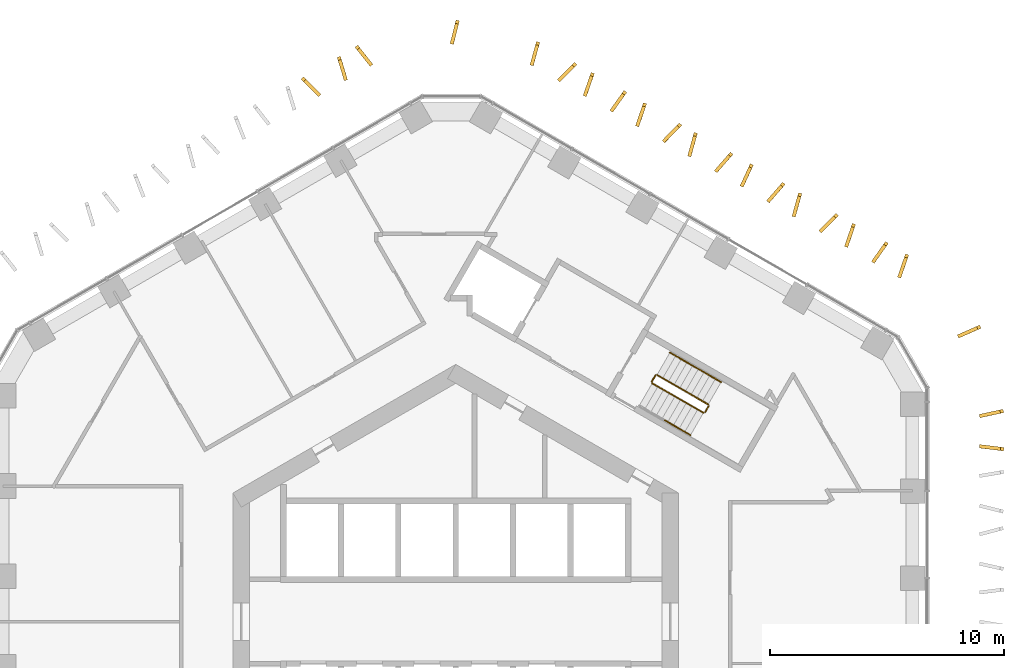
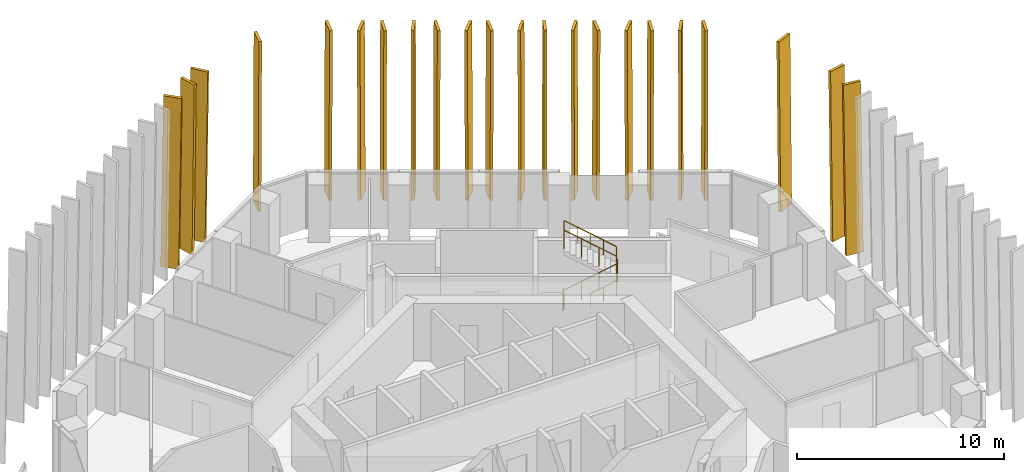
# One storey, part 19 of 19: 22 shading devices, 7 railings.
"""IFC4 building model written with IfcOpenShell, lengths in metres."""

from ifc_helpers import new_model, si_unit, direction, frame, origin, origin_2d, place, context, subcontext, project, spatial, polyline, circle, outline, extrude, material, layer, layer_set, type_object, element, save


model = new_model("IFC4")

# Units and contexts
model_context = context("Model", 3, precision=1e-05, world=origin(), true_north=direction((0.0, 1.0)))
body_context = subcontext(model_context, "Body", "Model", "MODEL_VIEW")
ifc_project = project(units=[si_unit("LENGTHUNIT", "METRE"), si_unit("AREAUNIT", "SQUARE_METRE"), si_unit("VOLUMEUNIT", "CUBIC_METRE"), si_unit("PLANEANGLEUNIT", "RADIAN"), si_unit("MASSUNIT", "GRAM", prefix="KILO")], contexts=[model_context])

# Site, building, storey
site_placement = place(None, origin())
site = spatial("IfcSite", under=ifc_project, at=site_placement, CompositionType="ELEMENT")
building_placement = place(site_placement, origin())
building = spatial("IfcBuilding", under=site, at=building_placement, Name="Ayvan Gate Tower", CompositionType="ELEMENT")
storey_placement = place(building_placement, frame((0.0, 0.0, 93.300048828125)))
storey = spatial("IfcBuildingStorey", under=building, at=storey_placement, Name="L24", CompositionType="ELEMENT", Elevation=93.300048828125)

# Shading devices
ifc_material_1 = material(Name="Bronze anodised aluminium", Category="aluminium")
ifc_layer = layer(ifc_material_1, 0.14990234375)
ifc_layer_set = layer_set([ifc_layer], Name="Bronze anodised aluminium")
shading_device_type = type_object("IfcShadingDeviceType", Name="Bronze fin 900 x 150", PredefinedType="USERDEFINED", material=ifc_layer_set)
shading_device_1_placement = place(storey_placement, frame((-3.62060546875, 23.88232421875, 0.0), z_axis=(0.784691755886, 0.619886140778, 0.000143931434), x_axis=(-0.619886147197, 0.784691764015, -1.2101e-08)))
element("IfcShadingDevice", 1, at=shading_device_1_placement, inside=storey, type_object=shading_device_type, Name="Bronze fin FG08.1.1", ObjectType="FIN", PredefinedType="USERDEFINED", context=body_context, shape_type="SweptSolid", body=[
    extrude(outline(polyline([(0.0, 0.0), (0.9000373827248702, 0.0), (0.7575013844012553, 10.079834097949659), (-0.14234442318591617, 10.079834076169481), (0.0, 0.0)])), origin(), (0.0, 0.0, -1.0), 0.14990234375),
])
shading_device_2_placement = place(storey_placement, frame((-4.655029296875, 23.24951171875, 0.0), z_axis=(0.957527128214, 0.28834315504, 0.00015386858), x_axis=(-0.288343158453, 0.957527139549, 0.0)))
element("IfcShadingDevice", 2, at=shading_device_2_placement, inside=storey, type_object=shading_device_type, Name="Bronze fin FG08.1.2", ObjectType="FIN", PredefinedType="USERDEFINED", context=body_context, shape_type="SweptSolid", body=[
    extrude(outline(polyline([(0.0, 0.0), (0.9000438427842659, 6.776263578034403e-21), (0.7577277319891105, 10.079834103697758), (-0.1423161107951555, 10.079834103697758), (0.0, 0.0)])), origin(), (0.0, 0.0, -1.0), 0.14990234375),
])
shading_device_3_placement = place(storey_placement, frame((-5.8515625, 22.599609375, 0.0), z_axis=(0.707242403031, 0.706971117107, 0.000151429152), x_axis=(-0.706971125213, 0.70724241114, 0.0)))
element("IfcShadingDevice", 3, at=shading_device_3_placement, inside=storey, type_object=shading_device_type, Name="Bronze fin FG08.1.3", ObjectType="FIN", PredefinedType="USERDEFINED", context=body_context, shape_type="SweptSolid", body=[
    extrude(outline(polyline([(0.0, 0.0), (0.8999384077507213, 0.0), (0.7575154818395233, 10.07983409994427), (-0.14242292591119793, 10.07983409994427), (0.0, 0.0)])), origin(), (0.0, 0.0, -1.0), 0.14990234375),
])
shading_device_4_placement = place(storey_placement, frame((22.4736328125, 7.3857421875, 0.0), z_axis=(-0.120428568693, -0.99272198517, 0.000141428492), x_axis=(0.992721995099, -0.120428569897, 0.0)))
element("IfcShadingDevice", 4, at=shading_device_4_placement, inside=storey, type_object=shading_device_type, Name="Bronze fin FG08.9.78", ObjectType="FIN", PredefinedType="USERDEFINED", context=body_context, shape_type="SweptSolid", body=[
    extrude(outline(polyline([(0.0, 0.0), (0.9001056609119088, 0.0), (0.7577848883339865, 10.079834085183514), (-0.14232077257792225, 10.079834085183514), (0.0, 0.0)])), origin(), (0.0, 0.0, -1.0), 0.14990234375),
])
shading_device_5_placement = place(storey_placement, frame((22.49609375, 8.720458984375, 0.0), z_axis=(0.213381312199, -0.976968983126, 0.000147017336), x_axis=(0.976968993683, 0.213381314508, 1.9483e-08)))
element("IfcShadingDevice", 5, at=shading_device_5_placement, inside=storey, type_object=shading_device_type, Name="Bronze fin FG08.9.79", ObjectType="FIN", PredefinedType="USERDEFINED", context=body_context, shape_type="SweptSolid", body=[
    extrude(outline(polyline([(0.0, 0.0), (0.8999014747978201, -3.3881317890172014e-21), (0.757508684903003, 10.079834078549425), (-0.14234069484732978, 10.079834113614664), (0.0, 0.0)])), origin(), (0.0, 0.0, -1.0), 0.14990234375),
])
shading_device_6_placement = place(storey_placement, frame((21.583251953125, 12.14794921875, 0.0), z_axis=(0.403947416171, -0.91478219431, 0.000148131624), x_axis=(0.914782204346, 0.403947420602, 0.0)))
element("IfcShadingDevice", 6, at=shading_device_6_placement, inside=storey, type_object=shading_device_type, Name="Bronze fin FG08.10.80", ObjectType="FIN", PredefinedType="USERDEFINED", context=body_context, shape_type="SweptSolid", body=[
    extrude(outline(polyline([(0.0, 0.0), (0.899932446858565, 0.0), (0.7575420249180949, 10.07983409496579), (-0.1423904219404702, 10.07983409496579), (0.0, 0.0)])), origin(), (0.0, 0.0, -1.0), 0.14990234375),
])
shading_device_7_placement = place(storey_placement, frame((19.031005859375, 14.781982421875, 0.0), z_axis=(0.945251828206, -0.326341784856, 0.000143981097), x_axis=(0.326341788238, 0.945251838004, 6.372e-09)))
element("IfcShadingDevice", 7, at=shading_device_7_placement, inside=storey, type_object=shading_device_type, Name="Bronze fin FG08.11.81", ObjectType="FIN", PredefinedType="USERDEFINED", context=body_context, shape_type="SweptSolid", body=[
    extrude(outline(polyline([(0.0, 0.0), (0.9000956608138847, -6.776263578034403e-21), (0.757553854587912, 10.079834084027887), (-0.1423110318514601, 10.079834095497864), (0.0, 0.0)])), origin(), (0.0, 0.0, -1.0), 0.14990234375),
])
shading_device_8_placement = place(storey_placement, frame((17.933349609375, 15.39404296875, 0.0), z_axis=(0.815699137507, -0.578476358741, 0.000139453991), x_axis=(0.578476364368, 0.815699145438, -1.5427e-08)))
element("IfcShadingDevice", 8, at=shading_device_8_placement, inside=storey, type_object=shading_device_type, Name="Bronze fin FG08.11.82", ObjectType="FIN", PredefinedType="USERDEFINED", context=body_context, shape_type="SweptSolid", body=[
    extrude(outline(polyline([(0.0, 0.0), (0.9000726112128209, -6.776263578034403e-21), (0.7574349828626471, 10.079834094073634), (-0.14249639876902928, 10.079834066304207), (0.0, 0.0)])), origin(), (0.0, 0.0, -1.0), 0.14990234375),
])
shading_device_9_placement = place(storey_placement, frame((16.767333984375, 16.0888671875, 0.0), z_axis=(0.946088520437, -0.323908155814, 0.000134513075), x_axis=(0.323908158744, 0.946088528997, 5.909e-09)))
element("IfcShadingDevice", 9, at=shading_device_9_placement, inside=storey, type_object=shading_device_type, Name="Bronze fin FG08.11.83", ObjectType="FIN", PredefinedType="USERDEFINED", context=body_context, shape_type="SweptSolid", body=[
    extrude(outline(polyline([(0.0, 0.0), (0.9000740065138428, 0.0), (0.7576944582283839, 10.079834071088829), (-0.14214856964068434, 10.079834081724643), (0.0, 0.0)])), origin(), (0.0, 0.0, -1.0), 0.14990234375),
])
shading_device_10_placement = place(storey_placement, frame((15.693359375, 16.66796875, 0.0), z_axis=(0.712376912549, -0.701797057412, 0.000157082161), x_axis=(0.70179706607, 0.712376921338, 0.0)))
element("IfcShadingDevice", 10, at=shading_device_10_placement, inside=storey, type_object=shading_device_type, Name="Bronze fin FG08.11.84", ObjectType="FIN", PredefinedType="USERDEFINED", context=body_context, shape_type="SweptSolid", body=[
    extrude(outline(polyline([(0.0, 0.0), (0.8999635755267725, 0.0), (0.7575488050133311, 10.079834108733975), (-0.14241477051344148, 10.079834108733975), (0.0, 0.0)])), origin(), (0.0, 0.0, -1.0), 0.14990234375),
])
shading_device_11_placement = place(storey_placement, frame((14.52392578125, 17.38671875, 0.0), z_axis=(0.963564522009, -0.267475962472, 0.000146376284), x_axis=(0.267475965337, 0.963564532331, 0.0)))
element("IfcShadingDevice", 11, at=shading_device_11_placement, inside=storey, type_object=shading_device_type, Name="Bronze fin FG08.11.85", ObjectType="FIN", PredefinedType="USERDEFINED", context=body_context, shape_type="SweptSolid", body=[
    extrude(outline(polyline([(0.0, 0.0), (0.8999786427400962, 0.0), (0.7574271756935838, 10.079834092360347), (-0.14255146704651253, 10.079834092360347), (0.0, 0.0)])), origin(), (0.0, 0.0, -1.0), 0.14990234375),
])
shading_device_12_placement = place(storey_placement, frame((13.462646484375, 17.964111328125, 0.0), z_axis=(0.755635367762, -0.65499249523, 0.000148929335), x_axis=(0.654992502497, 0.755635376139, -2.8496e-08)))
element("IfcShadingDevice", 12, at=shading_device_12_placement, inside=storey, type_object=shading_device_type, Name="Bronze fin FG08.11.86", ObjectType="FIN", PredefinedType="USERDEFINED", context=body_context, shape_type="SweptSolid", body=[
    extrude(outline(polyline([(0.0, 0.0), (0.899963724628259, -1.3552527156068805e-20), (0.7576443157023185, 10.079834117749625), (-0.1423439799400135, 10.079834066458917), (0.0, 0.0)])), origin(), (0.0, 0.0, -1.0), 0.14990234375),
])
shading_device_13_placement = place(storey_placement, frame((12.320068359375, 18.65087890625, 0.0), z_axis=(0.908443063647, -0.418008587961, 0.000143187856), x_axis=(0.418008592246, 0.90844307296, 0.0)))
element("IfcShadingDevice", 13, at=shading_device_13_placement, inside=storey, type_object=shading_device_type, Name="Bronze fin FG08.11.87", ObjectType="FIN", PredefinedType="USERDEFINED", context=body_context, shape_type="SweptSolid", body=[
    extrude(outline(polyline([(0.0, 0.0), (0.9000310283186577, -6.776263578034403e-21), (0.7577376594419413, 10.079834087707221), (-0.14229336887671637, 10.079834087707221), (0.0, 0.0)])), origin(), (0.0, 0.0, -1.0), 0.14990234375),
])
shading_device_14_placement = place(storey_placement, frame((11.236572265625, 19.2490234375, 0.0), z_axis=(0.754874067439, -0.655869743107, 0.000149612617), x_axis=(0.655869750448, 0.754874075888, 0.0)))
element("IfcShadingDevice", 14, at=shading_device_14_placement, inside=storey, type_object=shading_device_type, Name="Bronze fin FG08.11.88", ObjectType="FIN", PredefinedType="USERDEFINED", context=body_context, shape_type="SweptSolid", body=[
    extrude(outline(polyline([(0.0, 0.0), (0.9000751000436222, 0.0), (0.7577541306807307, 10.07983409718818), (-0.14232096936289151, 10.07983409718818), (0.0, 0.0)])), origin(), (0.0, 0.0, -1.0), 0.14990234375),
])
shading_device_15_placement = place(storey_placement, frame((10.07177734375, 19.95703125, 0.0), z_axis=(0.963679008586, -0.267063190416, 0.000143997909), x_axis=(0.267063193182, 0.963679018578, 2.4035e-08)))
element("IfcShadingDevice", 15, at=shading_device_15_placement, inside=storey, type_object=shading_device_type, Name="Bronze fin FG08.11.89", ObjectType="FIN", PredefinedType="USERDEFINED", context=body_context, shape_type="SweptSolid", body=[
    extrude(outline(polyline([(0.0, 0.0), (0.9000834314205757, 0.0), (0.757598052715304, 10.079834070670548), (-0.1423153064822743, 10.079834113934112), (0.0, 0.0)])), origin(), (0.0, 0.0, -1.0), 0.14990234375),
])
shading_device_16_placement = place(storey_placement, frame((9.015380859375, 20.523681640625, 0.0), z_axis=(0.712646094336, -0.701523715247, 0.000145510993), x_axis=(0.701523722674, 0.712646101881, 0.0)))
element("IfcShadingDevice", 16, at=shading_device_16_placement, inside=storey, type_object=shading_device_type, Name="Bronze fin FG08.11.90", ObjectType="FIN", PredefinedType="USERDEFINED", context=body_context, shape_type="SweptSolid", body=[
    extrude(outline(polyline([(0.0, 0.0), (0.8999662247254143, 0.0), (0.757378086258168, 10.079834091087427), (-0.14258813846724622, 10.079834091087427), (0.0, 0.0)])), origin(), (0.0, 0.0, -1.0), 0.14990234375),
])
shading_device_17_placement = place(storey_placement, frame((7.8544921875, 21.23486328125, 0.0), z_axis=(0.945949503994, -0.324313917988, 0.000135987687), x_axis=(0.324313920985, 0.945949512741, 1.7449e-08)))
element("IfcShadingDevice", 17, at=shading_device_17_placement, inside=storey, type_object=shading_device_type, Name="Bronze fin FG08.11.91", ObjectType="FIN", PredefinedType="USERDEFINED", context=body_context, shape_type="SweptSolid", body=[
    extrude(outline(polyline([(0.0, 0.0), (0.8999221402601754, -6.776263578034403e-21), (0.7575421567986573, 10.07983406435801), (-0.14245916166488348, 10.079834095765028), (0.0, 0.0)])), origin(), (0.0, 0.0, -1.0), 0.14990234375),
])
shading_device_18_placement = place(storey_placement, frame((6.776123046875, 21.83544921875, 0.0), z_axis=(0.815023637741, -0.579427688539, 0.000153872953), x_axis=(0.5794276954, 0.815023647389, -1.2094e-08)))
element("IfcShadingDevice", 18, at=shading_device_18_placement, inside=storey, type_object=shading_device_type, Name="Bronze fin FG08.11.92", ObjectType="FIN", PredefinedType="USERDEFINED", context=body_context, shape_type="SweptSolid", body=[
    extrude(outline(polyline([(0.0, 0.0), (0.899899559114082, -1.3552527156068805e-20), (0.7576582659558373, 10.079834112867822), (-0.14244027354090802, 10.079834091098263), (0.0, 0.0)])), origin(), (0.0, 0.0, -1.0), 0.14990234375),
])
shading_device_19_placement = place(storey_placement, frame((5.619873046875, 22.524658203125, 0.0), z_axis=(0.944705166661, -0.32792091487, 0.000147221536), x_axis=(0.327920918424, 0.944705176899, 0.0)))
element("IfcShadingDevice", 19, at=shading_device_19_placement, inside=storey, type_object=shading_device_type, Name="Bronze fin FG08.11.93", ObjectType="FIN", PredefinedType="USERDEFINED", context=body_context, shape_type="SweptSolid", body=[
    extrude(outline(polyline([(0.0, 0.0), (0.9001134085727984, 6.776263578034403e-21), (0.7577199605632441, 10.079834093611074), (-0.1423934480095543, 10.079834093611074), (0.0, 0.0)])), origin(), (0.0, 0.0, -1.0), 0.14990234375),
])
shading_device_20_placement = place(storey_placement, frame((4.53564453125, 23.110107421875, 0.0), z_axis=(0.71318413643, -0.700976724434, 0.000139090704), x_axis=(0.700976731214, 0.713184143329, 0.0)))
element("IfcShadingDevice", 20, at=shading_device_20_placement, inside=storey, type_object=shading_device_type, Name="Bronze fin FG08.11.94", ObjectType="FIN", PredefinedType="USERDEFINED", context=body_context, shape_type="SweptSolid", body=[
    extrude(outline(polyline([(0.0, 0.0), (0.899971920476087, 0.0), (0.7575560862370463, 10.079834081878364), (-0.14241583423904064, 10.079834081878364), (0.0, 0.0)])), origin(), (0.0, 0.0, -1.0), 0.14990234375),
])
shading_device_21_placement = place(storey_placement, frame((3.34765625, 23.83935546875, 0.0), z_axis=(0.96379331086, -0.266650386877, 0.000158491761), x_axis=(0.266650390226, 0.963793322965, 0.0)))
element("IfcShadingDevice", 21, at=shading_device_21_placement, inside=storey, type_object=shading_device_type, Name="Bronze fin FG08.11.95", ObjectType="FIN", PredefinedType="USERDEFINED", context=body_context, shape_type="SweptSolid", body=[
    extrude(outline(polyline([(0.0, 0.0), (0.9000183130096558, 0.0), (0.7574681622772099, 10.079834110975897), (-0.14255015073244587, 10.079834110975897), (0.0, 0.0)])), origin(), (0.0, 0.0, -1.0), 0.14990234375),
])
shading_device_22_placement = place(storey_placement, frame((-0.062744140625, 24.750732421875, 0.0), z_axis=(0.969460466847, -0.245247589766, 0.000151442166), x_axis=(0.245247592578, 0.969460477964, 5.037e-09)))
element("IfcShadingDevice", 22, at=shading_device_22_placement, inside=storey, type_object=shading_device_type, Name="Bronze fin FG08.12.96", ObjectType="FIN", PredefinedType="USERDEFINED", context=body_context, shape_type="SweptSolid", body=[
    extrude(outline(polyline([(0.0, 0.0), (0.9000379814293908, -6.776263578034403e-21), (0.7576265085559679, 10.07983409614772), (-0.14217478818641982, 10.079834105214113), (0.0, 0.0)])), origin(), (0.0, 0.0, -1.0), 0.14990234375),
])

# Railings
ifc_material_2 = material(Name="Stainless steel balustrade", Category="steel")
railing_type_1 = type_object("IfcRailingType", Name="RL-GUARD-1100", PredefinedType="GUARDRAIL", material=ifc_material_2)
railing_1_placement = place(storey_placement, frame((8.381103515625, 10.16650390625, 0.169921875)))
element("IfcRailing", 23, at=railing_1_placement, inside=storey, type_object=railing_type_1, Name="L24 STS1 stair guard 1", PredefinedType="GUARDRAIL", context=body_context, shape_type="SweptSolid", body=[
    extrude(circle(Radius=0.02392578125, at=origin_2d()), frame((0.0, 0.0, 1.076171875), z_axis=(0.740261155115, -0.427395438142, 0.518986090067), x_axis=(0.500004791531, 0.866022637375, 0.0)), (0.0, 0.0, 1.0), 2.947998046875),
    extrude(circle(Radius=0.02099609375, at=origin_2d()), origin(), (0.0, 0.0, 1.0), 1.052001953125),
    extrude(circle(Radius=0.02099609375, at=origin_2d()), frame((0.7275390625, -0.419921875, 0.510009765625)), (0.0, 0.0, 1.0), 1.052001953125),
    extrude(circle(Radius=0.02099609375, at=origin_2d()), frame((1.454833984375, -0.840087890625, 1.02001953125)), (0.0, 0.0, 1.0), 1.052001953125),
    extrude(circle(Radius=0.02099609375, at=origin_2d()), frame((2.182373046875, -1.260009765625, 1.530029296875)), (0.0, 0.0, 1.0), 1.052001953125),
])
railing_2_placement = place(storey_placement, frame((10.6318359375, 8.9248046875, 1.699951171875)))
element("IfcRailing", 24, at=railing_2_placement, inside=storey, type_object=railing_type_1, Name="L24 STS1 stair guard 2", PredefinedType="GUARDRAIL", context=body_context, shape_type="SweptSolid", body=[
    extrude(circle(Radius=0.02392578125, at=origin_2d()), frame((0.0, 0.0, 1.076171875), z_axis=(0.499949632511, 0.866054481515, 0.0), x_axis=(-0.866054481515, 0.499949632511, 0.0)), (0.0, 0.0, 1.0), 0.31005859375),
    extrude(circle(Radius=0.02099609375, at=origin_2d()), origin(), (0.0, 0.0, 1.0), 1.052001953125),
    extrude(circle(Radius=0.02099609375, at=origin_2d()), frame((0.155029296875, 0.2685546875, 0.0)), (0.0, 0.0, 1.0), 1.052001953125),
])
railing_3_placement = place(storey_placement, frame((10.7685546875, 9.261474609375, 1.869873046875)))
element("IfcRailing", 25, at=railing_3_placement, inside=storey, type_object=railing_type_1, Name="L24 STS1 stair guard 3", PredefinedType="GUARDRAIL", context=body_context, shape_type="SweptSolid", body=[
    extrude(circle(Radius=0.02392578125, at=origin_2d()), frame((0.0, 0.0, 1.076171875), z_axis=(-0.740261155115, 0.427395438142, 0.518986090067), x_axis=(-0.500004791531, -0.866022637375, 0.0)), (0.0, 0.0, 1.0), 2.947998046875),
    extrude(circle(Radius=0.02099609375, at=origin_2d()), origin(), (0.0, 0.0, 1.0), 1.052001953125),
    extrude(circle(Radius=0.02099609375, at=origin_2d()), frame((-0.7275390625, 0.419921875, 0.510009765625)), (0.0, 0.0, 1.0), 1.052001953125),
    extrude(circle(Radius=0.02099609375, at=origin_2d()), frame((-1.454833984375, 0.840087890625, 1.02001953125)), (0.0, 0.0, 1.0), 1.052001953125),
    extrude(circle(Radius=0.02099609375, at=origin_2d()), frame((-2.182373046875, 1.260009765625, 1.530029296875)), (0.0, 0.0, 1.0), 1.052001953125),
])
railing_4_placement = place(storey_placement, frame((8.36279296875, 10.23486328125, 0.0)))
element("IfcRailing", 26, at=railing_4_placement, inside=storey, type_object=railing_type_1, Name="L24 STS1 stair guard 4", PredefinedType="GUARDRAIL", context=body_context, shape_type="SweptSolid", body=[
    extrude(circle(Radius=0.02392578125, at=origin_2d()), frame((0.0, 0.0, 1.076171875), z_axis=(0.500290723946, 0.86585748916, 0.0), x_axis=(-0.86585748916, 0.500290723946, 0.0)), (0.0, 0.0, 1.0), 0.309814453125),
    extrude(circle(Radius=0.02099609375, at=origin_2d()), origin(), (0.0, 0.0, 1.0), 1.052001953125),
    extrude(circle(Radius=0.02099609375, at=origin_2d()), frame((0.155029296875, 0.268310546875, 0.0)), (0.0, 0.0, 1.0), 1.052001953125),
])
railing_type_2 = type_object("IfcRailingType", Name="RL-HANDRAIL-900", PredefinedType="HANDRAIL", material=ifc_material_2)
railing_5_placement = place(storey_placement, frame((8.92236328125, 8.583984375, 0.93505859375)))
element("IfcRailing", 27, at=railing_5_placement, inside=storey, type_object=railing_type_2, Name="L24 STS1 stair handrail 2", PredefinedType="HANDRAIL", context=body_context, shape_type="SweptSolid", body=[
    extrude(circle(Radius=0.02392578125, at=origin_2d()), frame((0.0, 0.0, 0.8759765625), z_axis=(0.740229329464, -0.427507697325, 0.518939021976), x_axis=(0.50011940292, 0.865956455501, 0.0)), (0.0, 0.0, 1.0), 1.473876953125),
    extrude(circle(Radius=0.02099609375, at=origin_2d()), origin(), (0.0, 0.0, 1.0), 0.851806640625),
    extrude(circle(Radius=0.02099609375, at=origin_2d()), frame((0.54541015625, -0.31494140625, 0.38232421875)), (0.0, 0.0, 1.0), 0.851806640625),
    extrude(circle(Radius=0.02099609375, at=origin_2d()), frame((1.091064453125, -0.630126953125, 0.764892578125)), (0.0, 0.0, 1.0), 0.851806640625),
])
railing_6_placement = place(storey_placement, frame((11.318603515625, 10.214111328125, 1.869873046875)))
element("IfcRailing", 28, at=railing_6_placement, inside=storey, type_object=railing_type_2, Name="L24 STS1 stair handrail 3", PredefinedType="HANDRAIL", context=body_context, shape_type="SweptSolid", body=[
    extrude(circle(Radius=0.02392578125, at=origin_2d()), frame((0.0, 0.0, 0.8759765625), z_axis=(-0.740240574041, 0.427418550694, 0.518996411419), x_axis=(-0.500035496587, -0.86600490885, 0.0)), (0.0, 0.0, 1.0), 1.474365234375),
    extrude(circle(Radius=0.02099609375, at=origin_2d()), origin(), (0.0, 0.0, 1.0), 0.851806640625),
    extrude(circle(Radius=0.02099609375, at=origin_2d()), frame((-0.545654296875, 0.31494140625, 0.382568359375)), (0.0, 0.0, 1.0), 0.851806640625),
    extrude(circle(Radius=0.02099609375, at=origin_2d()), frame((-1.09130859375, 0.630126953125, 0.76513671875)), (0.0, 0.0, 1.0), 0.851806640625),
])
railing_7_placement = place(storey_placement, frame((10.227294921875, 10.84423828125, 2.635009765625)))
element("IfcRailing", 29, at=railing_7_placement, inside=storey, type_object=railing_type_2, Name="L24 STS1 stair handrail 4", PredefinedType="HANDRAIL", context=body_context, shape_type="SweptSolid", body=[
    extrude(circle(Radius=0.02392578125, at=origin_2d()), frame((0.0, 0.0, 0.8759765625), z_axis=(-0.740356597536, 0.427319915356, 0.518912129772), x_axis=(-0.499890179513, -0.866088799389, 0.0)), (0.0, 0.0, 1.0), 1.47412109375),
    extrude(circle(Radius=0.02099609375, at=origin_2d()), origin(), (0.0, 0.0, 1.0), 0.851806640625),
    extrude(circle(Radius=0.02099609375, at=origin_2d()), frame((-0.545654296875, 0.31494140625, 0.38232421875)), (0.0, 0.0, 1.0), 0.851806640625),
    extrude(circle(Radius=0.02099609375, at=origin_2d()), frame((-1.09130859375, 0.6298828125, 0.764892578125)), (0.0, 0.0, 1.0), 0.851806640625),
])

save(model, "model.ifc")
